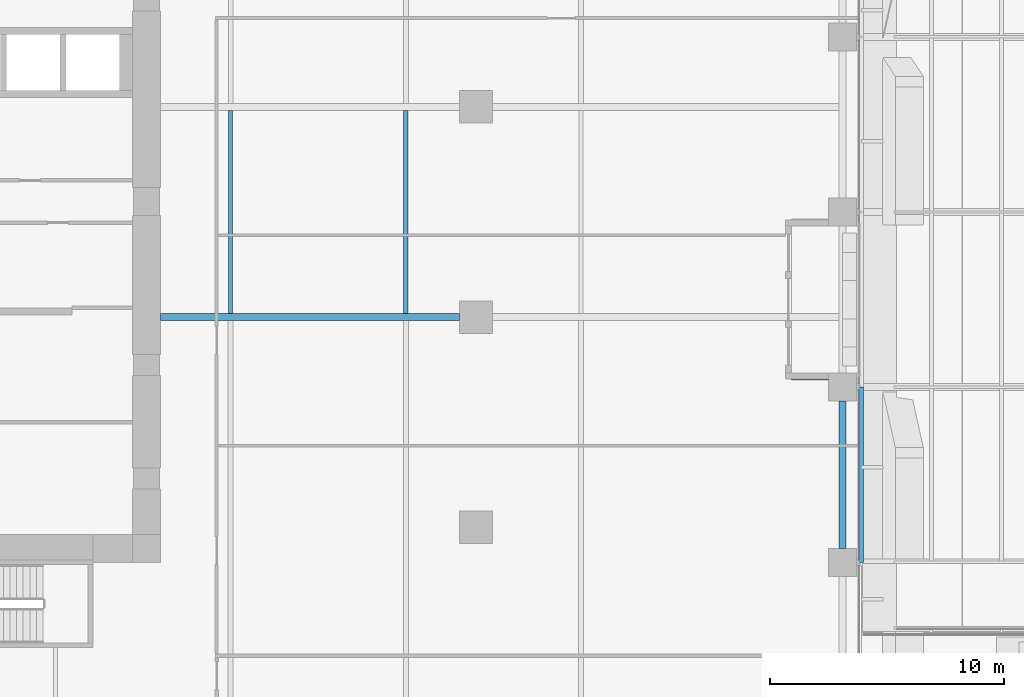
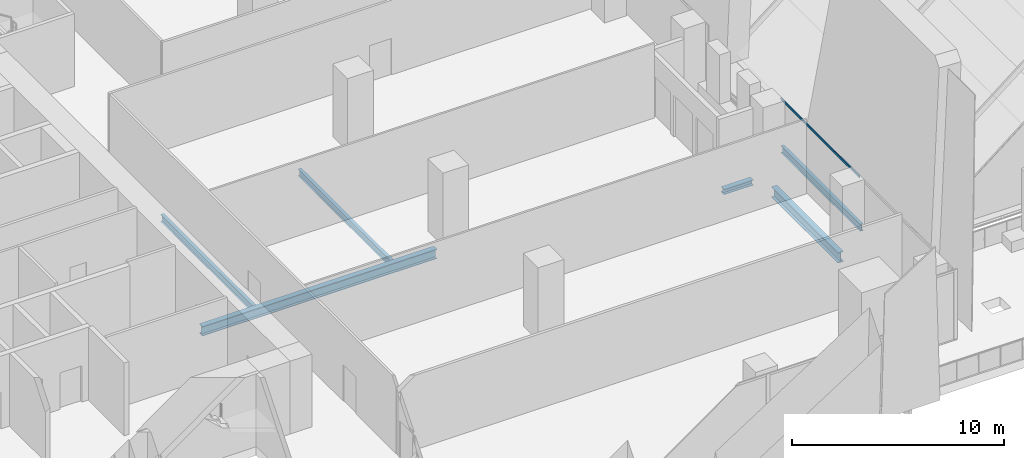
# One storey, part 11 of 46: 5 beams, 2 members, 1 element without a shape of its own.
"""IFC4 building model written with IfcOpenShell, lengths in metres."""

from ifc_helpers import new_model, si_unit, direction, frame, origin, origin_2d, place, context, subcontext, project, spatial, hollow_rectangle, i_section, extrude, source, transform, mapped, material, material_profile, profile_set, type_object, element, aggregate, save


model = new_model("IFC4")

# Units and contexts
model_context = context("Model", 3, precision=1e-05, world=origin(), true_north=direction((0.0, 1.0)))
body_context = subcontext(model_context, "Body", "Model", "MODEL_VIEW")
ifc_project = project(units=[si_unit("LENGTHUNIT", "METRE"), si_unit("AREAUNIT", "SQUARE_METRE"), si_unit("VOLUMEUNIT", "CUBIC_METRE"), si_unit("PLANEANGLEUNIT", "RADIAN"), si_unit("MASSUNIT", "GRAM", prefix="KILO")], contexts=[model_context])

# Site, building, storey
site_placement = place(None, origin())
site = spatial("IfcSite", under=ifc_project, at=site_placement, CompositionType="ELEMENT")
building_placement = place(site_placement, origin())
building = spatial("IfcBuilding", under=site, at=building_placement, Name="Khomas Fold Tower", CompositionType="ELEMENT")
storey_placement = place(building_placement, frame((0.0, 0.0, 33.0)))
storey = spatial("IfcBuildingStorey", under=building, at=storey_placement, Name="L06", CompositionType="ELEMENT", Elevation=33.0)

# Beams
ifc_material_1 = material(Name="Steel S355", Category="steel")
ifc_material_profile_1 = material_profile(ifc_material_1, i_section(OverallWidth=0.300048828125, OverallDepth=0.550048828125, WebThickness=0.014892578125, FlangeThickness=0.029052734375, at=origin_2d()), Name="HE 550 B")
ifc_profile_set_1 = profile_set([ifc_material_profile_1], Name="Steel S355")
beam_type_1 = type_object("IfcBeamType", Name="HE 550 B beam GB4", PredefinedType="BEAM", material=ifc_profile_set_1)
shared_shape_1 = source(origin(), body_context, "Body", "SweptSolid", [
    extrude(i_section(OverallWidth=0.300048828125, OverallDepth=0.550048828125, WebThickness=0.014892578125, FlangeThickness=0.029052734375, at=origin_2d()), origin(), (0.0, 0.0, 1.0), 12.800048828125),
])
beam_1_placement = place(storey_placement, frame((24.0, 22.5, -0.77490234375), z_axis=(1.0, 0.0, 0.0), x_axis=(0.0, 1.0, 0.0)))
element("IfcBeam", 1, at=beam_1_placement, inside=storey, type_object=beam_type_1, Name="GB4", PredefinedType="BEAM", context=body_context, shape_type="MappedRepresentation", body=[
    mapped(shared_shape_1, transform((0.0, 0.0, 0.0))),
])
ifc_material_2 = material(Name="Steel S355", Category="steel")
ifc_material_profile_2 = material_profile(ifc_material_2, i_section(OverallWidth=0.179931640625, OverallDepth=0.39990234375, WebThickness=0.008544921875, FlangeThickness=0.013427734375, at=origin_2d()), Name="IPE 400")
ifc_profile_set_2 = profile_set([ifc_material_profile_2], Name="Steel S355")
beam_type_2 = type_object("IfcBeamType", Name="IPE 400 beam JB3", PredefinedType="BEAM", material=ifc_profile_set_2)
shared_shape_2 = source(origin(), body_context, "Body", "SweptSolid", [
    extrude(i_section(OverallWidth=0.179931640625, OverallDepth=0.39990234375, WebThickness=0.008544921875, FlangeThickness=0.013427734375, at=origin_2d()), origin(), (0.0, 0.0, 1.0), 8.7001953125),
])
for number, where, z_axis, x_axis, name in (
    (2, (27.0, 22.64990234375, -0.699951171875), (0.0, 1.0, 0.0), (-1.0, 0.0, 0.0), "JB3"),
    (3, (34.5, 22.64990234375, -0.699951171875), (0.0, 1.0, 0.0), (-1.0, 0.0, 0.0), "JB3"),
):
    element("IfcBeam", number, at=place(storey_placement, frame(where, z_axis=z_axis, x_axis=x_axis)), inside=storey, type_object=beam_type_2, Name=name, PredefinedType="BEAM", context=body_context, shape_type="MappedRepresentation", body=[
        mapped(shared_shape_2, transform((0.0, 0.0, 0.0))),
    ])
ifc_material_3 = material(Name="Steel S355", Category="steel")
ifc_material_profile_3 = material_profile(ifc_material_3, i_section(OverallWidth=0.300048828125, OverallDepth=0.60009765625, WebThickness=0.015380859375, FlangeThickness=0.030029296875, at=origin_2d()), Name="HE 600 B")
ifc_profile_set_3 = profile_set([ifc_material_profile_3], Name="Steel S355")
beam_type_3 = type_object("IfcBeamType", Name="HE 600 B spandrel SB1", PredefinedType="SPANDREL", material=ifc_profile_set_3)
shared_shape_3 = source(origin(), body_context, "Body", "SweptSolid", [
    extrude(i_section(OverallWidth=0.300048828125, OverallDepth=0.60009765625, WebThickness=0.015380859375, FlangeThickness=0.030029296875, at=origin_2d()), origin(), (0.0, 0.0, 1.0), 6.2998046875),
])
beam_2_placement = place(storey_placement, frame((53.199951171875, 12.60009765625, -0.800048828125), z_axis=(0.0, 1.0, 0.0), x_axis=(-1.0, 0.0, 0.0)))
element("IfcBeam", 4, at=beam_2_placement, inside=storey, type_object=beam_type_3, Name="SB1", PredefinedType="SPANDREL", context=body_context, shape_type="MappedRepresentation", body=[
    mapped(shared_shape_3, transform((0.0, 0.0, 0.0))),
])
ifc_material_4 = material(Name="Steel S355", Category="steel")
ifc_material_profile_4 = material_profile(ifc_material_4, i_section(OverallWidth=0.300048828125, OverallDepth=0.300048828125, WebThickness=0.010986328125, FlangeThickness=0.01904296875, at=origin_2d()), Name="HE 300 B")
ifc_profile_set_4 = profile_set([ifc_material_profile_4], Name="Steel S355")
beam_type_4 = type_object("IfcBeamType", Name="HE 300 B beam BB1", PredefinedType="BEAM", material=ifc_profile_set_4)
shared_shape_4 = source(origin(), body_context, "Body", "SweptSolid", [
    extrude(i_section(OverallWidth=0.300048828125, OverallDepth=0.300048828125, WebThickness=0.010986328125, FlangeThickness=0.01904296875, at=origin_2d()), origin(), (0.0, 0.0, 1.0), 1.60009765625),
])
beam_3_placement = place(storey_placement, frame((51.0, 19.949951171875, -0.64990234375), z_axis=(1.0, 0.0, 0.0), x_axis=(0.0, 1.0, 0.0)))
element("IfcBeam", 5, at=beam_3_placement, inside=storey, type_object=beam_type_4, Name="BB1", PredefinedType="BEAM", context=body_context, shape_type="MappedRepresentation", body=[
    mapped(shared_shape_4, transform((0.0, 0.0, 0.0))),
])

# Curtain wall, member
ifc_material_5 = material(Name="Aluminium framed double glazing", Category="aluminium")
curtain_wall_type = type_object("IfcCurtainWallType", Name="SK-Unitised clear-glass wall, growing floors CW1", PredefinedType="NOTDEFINED", material=ifc_material_5)
curtain_wall_placement = place(storey_placement, origin())
curtain_wall = element("IfcCurtainWall", 6, at=curtain_wall_placement, inside=storey, type_object=curtain_wall_type, Name="CW1 run L06 03-0", PredefinedType="NOTDEFINED")
ifc_material_6 = material(Name="Aluminium", Category="aluminium")
ifc_material_profile_5 = material_profile(ifc_material_6, hollow_rectangle(XDim=0.06005859375, YDim=0.1201171875, WallThickness=0.00390625, at=origin_2d()), Name="SK-Unitised clear-glass wall, growing floors transom CW1-T")
ifc_profile_set_5 = profile_set([ifc_material_profile_5], Name="Aluminium")
member_type_1 = type_object("IfcMemberType", Name="SK-Unitised clear-glass wall, growing floors transom CW1-T", PredefinedType="USERDEFINED", material=ifc_profile_set_5)
shared_shape_5 = source(origin(), body_context, "Body", "SweptSolid", [
    extrude(hollow_rectangle(XDim=0.06005859375, YDim=0.1201171875, WallThickness=0.00390625, at=origin_2d()), origin(), (0.0, 0.0, 1.0), 7.43994140625),
])
member_1_placement = place(storey_placement, frame((53.89990234375, 12.030029296875, 3.93994140625), z_axis=(0.0, 1.0, 0.0), x_axis=(-1.0, 0.0, 0.0)))
member_1 = element("IfcMember", 7, at=member_1_placement, type_object=member_type_1, Name="CW1 transom 3", ObjectType="TRANSOM", PredefinedType="USERDEFINED", context=body_context, shape_type="MappedRepresentation", body=[
    mapped(shared_shape_5, transform((0.0, 0.0, 0.0))),
])
aggregate(curtain_wall, [member_1])

# Member
ifc_material_7 = material(Name="Steel S355", Category="steel")
ifc_material_profile_6 = material_profile(ifc_material_7, i_section(OverallWidth=0.179931640625, OverallDepth=0.39990234375, WebThickness=0.008544921875, FlangeThickness=0.013427734375, at=origin_2d()), Name="IPE 400")
ifc_profile_set_6 = profile_set([ifc_material_profile_6], Name="Steel S355")
member_type_2 = type_object("IfcMemberType", Name="IPE 400 userdefined RF-P", PredefinedType="USERDEFINED", material=ifc_profile_set_6)
shared_shape_6 = source(origin(), body_context, "Body", "SweptSolid", [
    extrude(i_section(OverallWidth=0.179931640625, OverallDepth=0.39990234375, WebThickness=0.008544921875, FlangeThickness=0.013427734375, at=origin_2d()), origin(), (0.0, 0.0, 1.0), 7.5),
])
member_2_placement = place(storey_placement, frame((54.0, 12.0, 1.0), z_axis=(0.0, 1.0, 0.0), x_axis=(-1.0, 0.0, 0.0)))
element("IfcMember", 8, at=member_2_placement, inside=storey, type_object=member_type_2, Name="Rooflight purlin", ObjectType="PURLIN", PredefinedType="USERDEFINED", context=body_context, shape_type="MappedRepresentation", body=[
    mapped(shared_shape_6, transform((0.0, 0.0, 0.0))),
])

save(model, "model.ifc")
